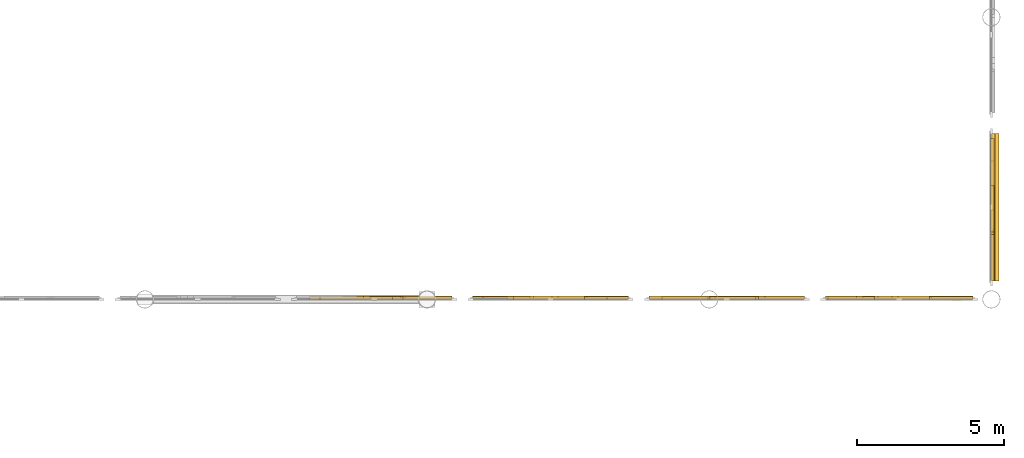
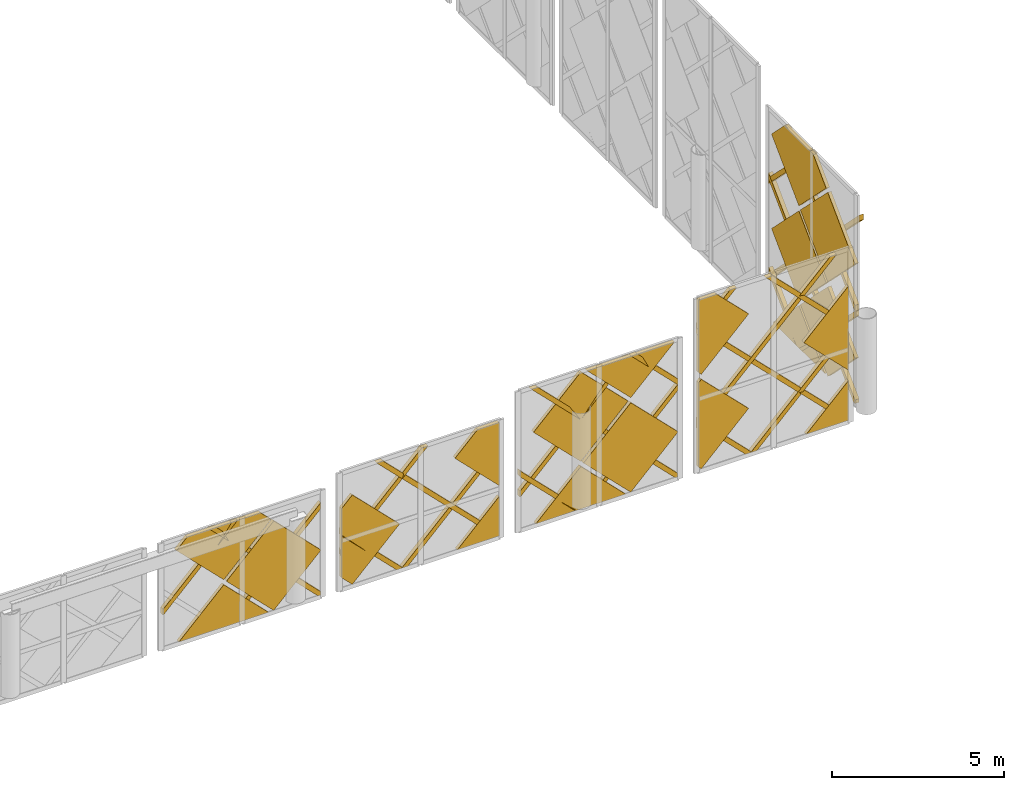
# One storey, part 47 of 53: 43 coverings.
"""IFC4 building model written with IfcOpenShell, lengths in metres."""

from ifc_helpers import new_model, si_unit, direction, frame, origin, place, context, subcontext, project, spatial, polyline, outline, extrude, material, layer, layer_set, type_object, element, save


model = new_model("IFC4")

# Units and contexts
model_context = context("Model", 3, precision=1e-05, world=origin(), true_north=direction((0.0, 1.0)))
body_context = subcontext(model_context, "Body", "Model", "MODEL_VIEW")
ifc_project = project(units=[si_unit("LENGTHUNIT", "METRE"), si_unit("AREAUNIT", "SQUARE_METRE"), si_unit("VOLUMEUNIT", "CUBIC_METRE"), si_unit("PLANEANGLEUNIT", "RADIAN"), si_unit("MASSUNIT", "GRAM", prefix="KILO")], contexts=[model_context])

# Site, building, storey
site_placement = place(None, origin())
site = spatial("IfcSite", under=ifc_project, at=site_placement, CompositionType="ELEMENT")
building_placement = place(site_placement, origin())
building = spatial("IfcBuilding", under=site, at=building_placement, Name="Zevrakil Square Congress Hotel", CompositionType="ELEMENT")
storey_placement = place(building_placement, frame((0.0, 0.0, 14.699951171875)))
storey = spatial("IfcBuildingStorey", under=building, at=storey_placement, Name="L04", CompositionType="ELEMENT", Elevation=14.699951171875)

# Coverings
ifc_material_1 = material(Name="Architectural White Fibre-C GRC", Category="concrete")
ifc_layer_1 = layer(ifc_material_1, 0.06494140625)
ifc_layer_set_1 = layer_set([ifc_layer_1], Name="Architectural White Fibre-C GRC")
covering_type_1 = type_object("IfcCoveringType", Name="COV-DIA-WHITE", PredefinedType="CLADDING", material=ifc_layer_set_1)
covering_1_placement = place(storey_placement, frame((165.694091796875, 68.679931640625, 1.330078125), z_axis=(0.999999790873, 0.0, 0.000646725815), x_axis=(0.000457304257, 0.707106707249, -0.707106707249)))
element("IfcCovering", 1, at=covering_1_placement, inside=storey, type_object=covering_type_1, Name="L04 45-degree white GRC diamond facade cassette 1272", PredefinedType="CLADDING", context=body_context, shape_type="SweptSolid", body=[
    extrude(outline(polyline([(0.0, 0.0), (2.1354765131557993, 0.0), (4.465861884739297e-07, -2.1354765131557527), (0.0, 0.0)])), origin(), (0.0, 0.0, -1.0), 0.1201171875),
])
covering_2_placement = place(storey_placement, frame((165.693115234375, 67.0, 3.010009765625), z_axis=(0.999999856477, 2.18091e-07, 0.000535767289), x_axis=(0.000378661405, 0.70716100192, -0.707052454899)))
element("IfcCovering", 2, at=covering_2_placement, inside=storey, type_object=covering_type_1, Name="L04 45-degree white GRC diamond facade cassette 1273", PredefinedType="CLADDING", context=body_context, shape_type="SweptSolid", body=[
    extrude(outline(polyline([(0.0, 0.0), (2.2485514420054766, 2.220446049250313e-16), (2.2483791200414514, -2.248723969768042), (0.013811095500841475, -2.2485525000985067), (-0.00017114298715226184, -2.234568117059487), (0.0, 0.0)])), origin(), (0.0, 0.0, -1.0), 0.1201171875),
])
covering_3_placement = place(storey_placement, frame((165.69189453125, 68.679931640625, 4.68994140625), z_axis=(0.999999811377, 0.0, 0.000614203339), x_axis=(0.000434274062, 0.707160967493, -0.707052457361)))
element("IfcCovering", 3, at=covering_3_placement, inside=storey, type_object=covering_type_1, Name="L04 45-degree white GRC diamond facade cassette 1274", PredefinedType="CLADDING", context=body_context, shape_type="SweptSolid", body=[
    extrude(outline(polyline([(0.0, 0.0), (2.248551551510707, 2.220446049250313e-16), (2.248379328934688, -2.248723959707921), (-0.00017198403640539262, -2.2483789048388836), (0.0, 0.0)])), origin(), (0.0, 0.0, -1.0), 0.1201171875),
])
covering_4_placement = place(storey_placement, frame((165.69091796875, 67.0, 6.3701171875), z_axis=(0.999999812584, 0.0, 0.000612235231), x_axis=(0.000432915724, 0.707106714509, -0.707106715341)))
element("IfcCovering", 4, at=covering_4_placement, inside=storey, type_object=covering_type_1, Name="L04 45-degree white GRC diamond facade cassette 1275", PredefinedType="CLADDING", context=body_context, shape_type="SweptSolid", body=[
    extrude(outline(polyline([(0.0, 0.0), (2.2487240723329105, -2.220446049250313e-16), (2.2487244964245092, -2.248724072332871), (0.014156369068123897, -2.2487240696714954), (4.240832742752332e-07, -2.2345681273563454), (0.0, 0.0)])), origin(), (0.0, 0.0, -1.0), 0.1201171875),
])
covering_5_placement = place(storey_placement, frame((165.69091796875, 70.27001953125, 6.4599609375), z_axis=(0.999999803119, 0.0, 0.000627505033), x_axis=(0.000443679039, -0.707161000869, -0.707052418141)))
element("IfcCovering", 5, at=covering_5_placement, inside=storey, type_object=covering_type_1, Name="L04 45-degree white GRC diamond facade cassette 1276", PredefinedType="CLADDING", context=body_context, shape_type="SweptSolid", body=[
    extrude(outline(polyline([(0.0, 0.0), (2.248551445388027, 0.0), (2.248723641677915, -2.2483787986918093), (1.1796043338090656, -2.2486335248766522), (8.18831416173893e-05, -1.0692919546146604), (0.0, 0.0)])), origin(), (0.0, 0.0, -1.0), 0.1201171875),
])
covering_6_placement = place(storey_placement, frame((143.989990234375, 64.89404296875, 1.330078125), z_axis=(0.0, 0.999999790873, 0.000646725815), x_axis=(-0.707106707249, 0.000457304257, -0.707106707249)))
element("IfcCovering", 6, at=covering_6_placement, inside=storey, type_object=covering_type_1, Name="L04 45-degree white GRC diamond facade cassette 1413", PredefinedType="CLADDING", context=body_context, shape_type="SweptSolid", body=[
    extrude(outline(polyline([(0.0, 0.0), (2.1354765131557993, 0.0), (4.465861884739297e-07, -2.1354765131557527), (0.0, 0.0)])), origin(), (0.0, 0.0, -1.0), 0.1201171875),
])
covering_7_placement = place(storey_placement, frame((145.669921875, 64.89306640625, 3.010009765625), z_axis=(2.3579e-08, 0.999999812541, 0.0006123053), x_axis=(-0.707106714489, 0.000432981944, -0.707106715321)))
element("IfcCovering", 7, at=covering_7_placement, inside=storey, type_object=covering_type_1, Name="L04 45-degree white GRC diamond facade cassette 1414", PredefinedType="CLADDING", context=body_context, shape_type="SweptSolid", body=[
    extrude(outline(polyline([(0.0, 0.0), (2.248378805382471, -2.220446049250313e-16), (2.248551863014511, -2.248551438825186), (0.01398373565752209, -2.2485514362281265), (4.241484949929486e-07, -2.2345681273566456), (0.0, 0.0)])), origin(), (0.0, 0.0, -1.0), 0.1201171875),
])
covering_8_placement = place(storey_placement, frame((142.39990234375, 64.89306640625, 3.10009765625), z_axis=(0.0, 0.999999863235, 0.000523001369), x_axis=(0.707106744368, 0.000369817834, -0.707106721297)))
element("IfcCovering", 8, at=covering_8_placement, inside=storey, type_object=covering_type_1, Name="L04 45-degree white GRC diamond facade cassette 1415", PredefinedType="CLADDING", context=body_context, shape_type="SweptSolid", body=[
    extrude(outline(polyline([(0.0, 0.0), (2.248723977376149, -2.220446049250313e-16), (2.24872374319806, -2.2487239773761374), (1.7396275212856813, -2.2485513728624835), (0.00017255149728451213, -0.509096221930351), (0.0, 0.0)])), origin(), (0.0, 0.0, -1.0), 0.1201171875),
])
covering_9_placement = place(storey_placement, frame((151.840087890625, 64.89501953125, -0.179931640625), z_axis=(0.0, 0.999999760125, 0.000692640526), x_axis=(1.0, 0.0, 0.0)))
element("IfcCovering", 9, at=covering_9_placement, inside=storey, type_object=covering_type_1, Name="L04 45-degree white GRC diamond facade cassette 1420", PredefinedType="CLADDING", context=body_context, shape_type="SweptSolid", body=[
    extrude(outline(polyline([(0.0, 0.0), (1.409912109375, 0.0), (1.409912109375, -1.4099124475784228), (0.0, 0.0)])), origin(), (0.0, 0.0, -1.0), 0.1201171875),
])
covering_10_placement = place(storey_placement, frame((148.31005859375, 64.89501953125, -0.169921875), z_axis=(-3.3643e-08, 0.999999812817, 0.000611854538), x_axis=(0.707052423992, -0.000432655961, 0.707161001849)))
element("IfcCovering", 10, at=covering_10_placement, inside=storey, type_object=covering_type_1, Name="L04 45-degree white GRC diamond facade cassette 1421", PredefinedType="CLADDING", context=body_context, shape_type="SweptSolid", body=[
    extrude(outline(polyline([(0.0, 0.0), (2.2485514454837037, -2.220446049250313e-16), (2.248724489826509, -2.2483787987223134), (1.7396282801660223, -2.2485905083050195), (-0.00013344140794085968, -0.5090962361932889), (0.0, 0.0)])), origin(), (0.0, 0.0, -1.0), 0.1201171875),
])
covering_11_placement = place(storey_placement, frame((151.760009765625, 64.89306640625, 3.10009765625), z_axis=(4.3735518e-05, 0.999999844073, 0.000556724004), x_axis=(0.707106739215, 0.000362737667, -0.707106730118)))
element("IfcCovering", 11, at=covering_11_placement, inside=storey, type_object=covering_type_1, Name="L04 45-degree white GRC diamond facade cassette 1422", PredefinedType="CLADDING", context=body_context, shape_type="SweptSolid", body=[
    extrude(outline(polyline([(0.0, 0.0), (2.107164524304703, 0.0), (0.5161739387450113, -1.5909903977577224), (-1.702036734885226e-07, -1.0748162285200251), (0.0, 0.0)])), origin(), (0.0, 0.0, -1.0), 0.1201171875),
])
covering_12_placement = place(storey_placement, frame((155.989990234375, 64.89404296875, 1.330078125), z_axis=(0.0, 0.999999790873, 0.000646725815), x_axis=(-0.707106707249, 0.000457304257, -0.707106707249)))
element("IfcCovering", 12, at=covering_12_placement, inside=storey, type_object=covering_type_1, Name="L04 45-degree white GRC diamond facade cassette 1427", PredefinedType="CLADDING", context=body_context, shape_type="SweptSolid", body=[
    extrude(outline(polyline([(0.0, 0.0), (2.1354765131557993, 0.0), (4.465861884739297e-07, -2.1354765131557527), (0.0, 0.0)])), origin(), (0.0, 0.0, -1.0), 0.1201171875),
])
covering_13_placement = place(storey_placement, frame((157.669921875, 64.89306640625, 3.010009765625), z_axis=(2.3579e-08, 0.999999812541, 0.0006123053), x_axis=(-0.707106714489, 0.000432981944, -0.707106715321)))
element("IfcCovering", 13, at=covering_13_placement, inside=storey, type_object=covering_type_1, Name="L04 45-degree white GRC diamond facade cassette 1428", PredefinedType="CLADDING", context=body_context, shape_type="SweptSolid", body=[
    extrude(outline(polyline([(0.0, 0.0), (2.248378805382471, -2.220446049250313e-16), (2.248551863014511, -2.248551438825186), (0.01398373565752209, -2.2485514362281265), (4.241484949929486e-07, -2.2345681273566456), (0.0, 0.0)])), origin(), (0.0, 0.0, -1.0), 0.1201171875),
])
covering_14_placement = place(storey_placement, frame((154.39990234375, 64.89306640625, 3.10009765625), z_axis=(0.0, 0.999999852422, 0.000543282832), x_axis=(0.707106744888, 0.000384158994, -0.707106713131)))
element("IfcCovering", 14, at=covering_14_placement, inside=storey, type_object=covering_type_1, Name="L04 45-degree white GRC diamond facade cassette 1429", PredefinedType="CLADDING", context=body_context, shape_type="SweptSolid", body=[
    extrude(outline(polyline([(0.0, 0.0), (2.248723975722311, -2.220446049250313e-16), (2.2487237448518975, -2.2487239757223), (0.04246751111625979, -2.248724074824798), (-3.2561286400500933e-07, -2.206256233735616), (0.0, 0.0)])), origin(), (0.0, 0.0, -1.0), 0.1201171875),
])
covering_15_placement = place(storey_placement, frame((157.669921875, 64.892822265625, 3.18994140625), z_axis=(0.0, 0.999999875912, 0.000498173303), x_axis=(0.707048019704, -0.000352290991, 0.707165450035)))
element("IfcCovering", 15, at=covering_15_placement, inside=storey, type_object=covering_type_1, Name="L04 45-degree white GRC diamond facade cassette 1430", PredefinedType="CLADDING", context=body_context, shape_type="SweptSolid", body=[
    extrude(outline(polyline([(0.0, 0.0), (2.0790252743221878, -2.220446049250313e-16), (0.0003455249860142562, -2.0790252456098104), (0.0, 0.0)])), origin(), (0.0, 0.0, -1.0), 0.1201171875),
])
covering_16_placement = place(storey_placement, frame((163.570068359375, 64.89501953125, -0.179931640625), z_axis=(0.0, 0.999999760125, 0.000692640526), x_axis=(1.0, 0.0, 0.0)))
element("IfcCovering", 16, at=covering_16_placement, inside=storey, type_object=covering_type_1, Name="L04 45-degree white GRC diamond facade cassette 1436", PredefinedType="CLADDING", context=body_context, shape_type="SweptSolid", body=[
    extrude(outline(polyline([(0.0, 0.0), (1.409912109375, 0.0), (1.409912109375, -1.4099124475784228), (0.0, 0.0)])), origin(), (0.0, 0.0, -1.0), 0.1201171875),
])
covering_17_placement = place(storey_placement, frame((160.0400390625, 64.89501953125, -0.169921875), z_axis=(4.2481e-08, 0.999999810286, 0.000615977294), x_axis=(0.707052423992, -0.000435625238, 0.707161000026)))
element("IfcCovering", 17, at=covering_17_placement, inside=storey, type_object=covering_type_1, Name="L04 45-degree white GRC diamond facade cassette 1437", PredefinedType="CLADDING", context=body_context, shape_type="SweptSolid", body=[
    extrude(outline(polyline([(0.0, 0.0), (2.248551445484817, 0.0), (2.2487244898302956, -2.2483787987238553), (2.1214936322954827, -2.248561224467988), (9.781385940751952e-06, -0.12740350426852678), (0.0, 0.0)])), origin(), (0.0, 0.0, -1.0), 0.1201171875),
])
covering_18_placement = place(storey_placement, frame((163.489990234375, 64.89306640625, 3.10009765625), z_axis=(8.1926907e-05, 0.9999998322, 0.000573488352), x_axis=(0.707106738472, 0.000347586468, -0.707106738472)))
element("IfcCovering", 18, at=covering_18_placement, inside=storey, type_object=covering_type_1, Name="L04 45-degree white GRC diamond facade cassette 1438", PredefinedType="CLADDING", context=body_context, shape_type="SweptSolid", body=[
    extrude(outline(polyline([(0.0, 0.0), (2.107164524546562, -2.220446049250313e-16), (-3.394399104017509e-07, -2.1071646235498394), (0.0, 0.0)])), origin(), (0.0, 0.0, -1.0), 0.1201171875),
])
covering_19_placement = place(storey_placement, frame((160.0400390625, 64.892822265625, 3.18994140625), z_axis=(-4.5849018e-05, 0.999999840474, 0.000562982506), x_axis=(0.707052455562, -0.000365701674, 0.707161008078)))
element("IfcCovering", 19, at=covering_19_placement, inside=storey, type_object=covering_type_1, Name="L04 45-degree white GRC diamond facade cassette 1439", PredefinedType="CLADDING", context=body_context, shape_type="SweptSolid", body=[
    extrude(outline(polyline([(0.0, 0.0), (2.2485513509124555, 0.0), (2.2488414841859816, -1.5272886552898461), (1.8245409627571845, -1.9516543746817172), (9.7792671272523e-06, -0.12740350454578792), (0.0, 0.0)])), origin(), (0.0, 0.0, -1.0), 0.1201171875),
])
ifc_material_2 = material(Name="Anodised Champagne Aluminium", Category="aluminium")
ifc_layer_2 = layer(ifc_material_2, 0.0849609375)
ifc_layer_set_2 = layer_set([ifc_layer_2], Name="Anodised Champagne Aluminium")
covering_type_2 = type_object("IfcCoveringType", Name="COV-DIAGRID-45", PredefinedType="MOLDING", material=ifc_layer_set_2)
covering_20_placement = place(storey_placement, frame((165.718017578125, 65.419921875, 3.093994140625), z_axis=(0.999999907608, 0.000303960579, 0.000303960579), x_axis=(-0.000303960565, -9.2392e-08, 0.999999953804)))
element("IfcCovering", 20, at=covering_20_placement, inside=storey, type_object=covering_type_2, Name="L04 45-degree aluminium diagrid rib 1277", PredefinedType="MOLDING", context=body_context, shape_type="SweptSolid", body=[
    extrude(outline(polyline([(0.0, 0.0), (0.2121581933241359, 0.0), (4.1220705029232425, -3.9099126708439047), (4.122070483321514, -4.12207086416804), (0.0, 0.0)])), origin(), (0.0, 0.0, -1.0), 0.14501953125),
])
covering_21_placement = place(storey_placement, frame((165.719970703125, 65.506103515625, -0.179931640625), z_axis=(0.999999753919, -8.7267435e-05, 0.000696093713), x_axis=(-8.7267414e-05, -0.999999996192, -6.0746e-08)))
element("IfcCovering", 21, at=covering_21_placement, inside=storey, type_object=covering_type_2, Name="L04 45-degree aluminium diagrid rib 1278", PredefinedType="MOLDING", context=body_context, shape_type="SweptSolid", body=[
    extrude(outline(polyline([(0.0, 0.0), (0.08618164029683732, 0.0), (0.0861816326442256, -0.1259765319792475), (-4.943847673661377, -5.156006819494465), (-4.94384768207907, -4.943848497824969), (0.0, 0.0)])), origin(), (0.0, 0.0, -1.0), 0.14501953125),
])
covering_22_placement = place(storey_placement, frame((165.719970703125, 68.8662109375, -0.179931640625), z_axis=(0.999999916523, 0.000288757226, 0.000289089512), x_axis=(0.000288757214, -0.99999995831, 8.3477e-08)))
element("IfcCovering", 22, at=covering_22_placement, inside=storey, type_object=covering_type_2, Name="L04 45-degree aluminium diagrid rib 1279", PredefinedType="MOLDING", context=body_context, shape_type="SweptSolid", body=[
    extrude(outline(polyline([(0.0, 0.0), (0.21240233489486798, -2.81112161297318e-24), (-1.5837403004017168, -1.796142785384697), (-1.5837403181119811, -1.5839845911250197), (0.0, 0.0)])), origin(), (0.0, 0.0, -1.0), 0.14501953125),
])
covering_23_placement = place(storey_placement, frame((165.718017578125, 65.419921875, 2.89404296875), z_axis=(0.999999905696, -0.00030708991, 0.00030708991), x_axis=(-0.000307089896, 9.4304e-08, 0.999999952848)))
element("IfcCovering", 23, at=covering_23_placement, inside=storey, type_object=covering_type_2, Name="L04 45-degree aluminium diagrid rib 1280", PredefinedType="MOLDING", context=body_context, shape_type="SweptSolid", body=[
    extrude(outline(polyline([(0.0, 0.0), (0.2121581931212936, 0.0), (-3.0739747543193885, -3.2861332573369064), (-3.073974774326802, -3.0739750642156136), (0.0, 0.0)])), origin(), (0.0, 0.0, -1.0), 0.14501953125),
])
covering_24_placement = place(storey_placement, frame((165.716064453125, 65.419921875, 6.25390625), z_axis=(-0.999999830382, 0.000582439352, 0.0), x_axis=(0.0, 0.0, 1.0)))
element("IfcCovering", 24, at=covering_24_placement, inside=storey, type_object=covering_type_2, Name="L04 45-degree aluminium diagrid rib 1281", PredefinedType="MOLDING", context=body_context, shape_type="SweptSolid", body=[
    extrude(outline(polyline([(0.0, 0.0), (0.212158203125, 0.0), (-4.81787109375, 5.0300301500577165), (-5.030029296875, 5.0300301500577165), (0.0, 0.0)])), origin(), (0.0, 0.0, -1.0), 0.14501953125),
])
covering_25_placement = place(storey_placement, frame((165.715576171875, 67.81787109375, 7.216064453125), z_axis=(0.999999915927, -0.0002899531, 0.0002899531), x_axis=(0.000289953088, 0.999999957964, 8.4073e-08)))
element("IfcCovering", 25, at=covering_25_placement, inside=storey, type_object=covering_type_2, Name="L04 45-degree aluminium diagrid rib 1282", PredefinedType="MOLDING", context=body_context, shape_type="SweptSolid", body=[
    extrude(outline(polyline([(0.0, 0.0), (0.2121581942066327, 0.0), (2.6320801887681777, -2.4199221980111894), (2.632080170931443, -2.6320803922178215), (0.0, 0.0)])), origin(), (0.0, 0.0, -1.0), 0.14501953125),
])
covering_26_placement = place(storey_placement, frame((147.163818359375, 64.919921875, -0.179931640625), z_axis=(-0.000181083774, 0.99999989165, 0.000428845682), x_axis=(0.999999983604, 0.000181083757, 7.7657e-08)))
element("IfcCovering", 26, at=covering_26_placement, inside=storey, type_object=covering_type_2, Name="L04 45-degree aluminium diagrid rib 1416", PredefinedType="MOLDING", context=body_context, shape_type="SweptSolid", body=[
    extrude(outline(polyline([(0.0, 0.0), (0.08618163921199454, 1.1406045165281983e-24), (0.08618164899495591, -0.1259765509159113), (-3.4277344340260023, -3.639893185709056), (-3.639892633672527, -3.639893185709056), (0.0, 0.0)])), origin(), (0.0, 0.0, -1.0), 0.14501953125),
])
covering_27_placement = place(storey_placement, frame((147.25, 64.918212890625, 2.89404296875), z_axis=(-0.000287477056, 0.99999958606, 0.000863270454), x_axis=(-8.2643e-08, -0.000863270513, 0.999999627382)))
element("IfcCovering", 27, at=covering_27_placement, inside=storey, type_object=covering_type_2, Name="L04 45-degree aluminium diagrid rib 1418", PredefinedType="MOLDING", context=body_context, shape_type="SweptSolid", body=[
    extrude(outline(polyline([(0.0, 0.0), (0.21215833483042407, 1.3234889800848443e-23), (-3.0739746676964605, -3.286133202330571), (-3.073974685229852, -3.0739750079722734), (0.0, 0.0)])), origin(), (0.0, 0.0, -1.0), 0.14501953125),
])
covering_28_placement = place(storey_placement, frame((144.4560546875, 64.917724609375, 3.4599609375), z_axis=(0.000305355897, 0.999999906865, 0.000305004913), x_axis=(-0.999999953379, 0.000305355883, 9.3135e-08)))
element("IfcCovering", 28, at=covering_28_placement, inside=storey, type_object=covering_type_2, Name="L04 45-degree aluminium diagrid rib 1419", PredefinedType="MOLDING", context=body_context, shape_type="SweptSolid", body=[
    extrude(outline(polyline([(0.0, 0.0), (0.21215819323394844, 0.0), (2.5061036324623407, -2.2937015119703363), (2.506103612680237, -2.506103845840653), (0.0, 0.0)])), origin(), (0.0, 0.0, -1.0), 0.14501953125),
])
covering_29_placement = place(storey_placement, frame((153.163818359375, 64.919921875, -0.179931640625), z_axis=(-0.000180987837, 0.999999891614, 0.000428969235), x_axis=(0.999999983622, 0.000180987821, 7.7638e-08)))
element("IfcCovering", 29, at=covering_29_placement, inside=storey, type_object=covering_type_2, Name="L04 45-degree aluminium diagrid rib 1423", PredefinedType="MOLDING", context=body_context, shape_type="SweptSolid", body=[
    extrude(outline(polyline([(0.0, 0.0), (0.08618163921349134, 0.0), (0.08618164899408683, -0.12597655090923543), (-3.8276367842631966, -4.0400397380750634), (-4.040039124534407, -4.0400397380750634), (0.0, 0.0)])), origin(), (0.0, 0.0, -1.0), 0.14501953125),
])
covering_30_placement = place(storey_placement, frame((149.803955078125, 64.919921875, -0.179931640625), z_axis=(-0.0003115794, 0.99999990303, 0.000311221263), x_axis=(0.999999951459, 0.000311579385, 9.697e-08)))
element("IfcCovering", 30, at=covering_30_placement, inside=storey, type_object=covering_type_2, Name="L04 45-degree aluminium diagrid rib 1424", PredefinedType="MOLDING", context=body_context, shape_type="SweptSolid", body=[
    extrude(outline(polyline([(0.0, 0.0), (0.21215819282665782, 0.0), (-1.854003996244953, -2.0661623892209127), (-1.8540040168416378, -1.853760055757419), (0.0, 0.0)])), origin(), (0.0, 0.0, -1.0), 0.14501953125),
])
covering_31_placement = place(storey_placement, frame((153.25, 64.918212890625, 2.89404296875), z_axis=(-0.000287477056, 0.99999958606, 0.000863270454), x_axis=(-8.2643e-08, -0.000863270513, 0.999999627382)))
element("IfcCovering", 31, at=covering_31_placement, inside=storey, type_object=covering_type_2, Name="L04 45-degree aluminium diagrid rib 1425", PredefinedType="MOLDING", context=body_context, shape_type="SweptSolid", body=[
    extrude(outline(polyline([(0.0, 0.0), (0.21215833483042407, 1.3234889800848443e-23), (-3.0739746676964605, -3.286133202330571), (-3.073974685229852, -3.0739750079722734), (0.0, 0.0)])), origin(), (0.0, 0.0, -1.0), 0.14501953125),
])
covering_32_placement = place(storey_placement, frame((150.856201171875, 64.91748046875, 3.860107421875), z_axis=(0.000305170431, 0.999999906871, 0.000305170431), x_axis=(-0.999999953436, 0.000305170417, 9.3129e-08)))
element("IfcCovering", 32, at=covering_32_placement, inside=storey, type_object=covering_type_2, Name="L04 45-degree aluminium diagrid rib 1426", PredefinedType="MOLDING", context=body_context, shape_type="SweptSolid", body=[
    extrude(outline(polyline([(0.0, 0.0), (0.21240233385959167, 0.0), (2.906250135328076, -2.6938480523438493), (2.906250115547259, -2.90625038620344), (0.0, 0.0)])), origin(), (0.0, 0.0, -1.0), 0.14501953125),
])
covering_33_placement = place(storey_placement, frame((159.25, 64.91796875, 3.093994140625), z_axis=(-0.000334420162, 0.999999888163, 0.000334420162), x_axis=(1.11837e-07, -0.000334420143, 0.999999944082)))
element("IfcCovering", 33, at=covering_33_placement, inside=storey, type_object=covering_type_2, Name="L04 45-degree aluminium diagrid rib 1431", PredefinedType="MOLDING", context=body_context, shape_type="SweptSolid", body=[
    extrude(outline(polyline([(0.0, 0.0), (0.2121581912614477, 5.6157808774107894e-24), (1.5661621969523216, -1.3540041571184345), (1.5661621732252162, -1.5661623483798808), (0.0, 0.0)])), origin(), (0.0, 0.0, -1.0), 0.14501953125),
])
covering_34_placement = place(storey_placement, frame((159.163818359375, 64.919921875, -0.179931640625), z_axis=(-0.000181110451, 0.999999891618, 0.000428908858), x_axis=(0.9999999836, 0.000181110434, 7.768e-08)))
element("IfcCovering", 34, at=covering_34_placement, inside=storey, type_object=covering_type_2, Name="L04 45-degree aluminium diagrid rib 1432", PredefinedType="MOLDING", context=body_context, shape_type="SweptSolid", body=[
    extrude(outline(polyline([(0.0, 0.0), (0.0861816392115782, 0.0), (0.0861816489974222, -0.12597655091249796), (-4.627685625598192, -4.840088701995825), (-4.839843825243692, -4.840088701995825), (0.0, 0.0)])), origin(), (0.0, 0.0, -1.0), 0.14501953125),
])
covering_35_placement = place(storey_placement, frame((155.803955078125, 64.919921875, -0.179931640625), z_axis=(-0.0003115794, 0.99999990303, 0.000311221263), x_axis=(0.999999951459, 0.000311579385, 9.697e-08)))
element("IfcCovering", 35, at=covering_35_placement, inside=storey, type_object=covering_type_2, Name="L04 45-degree aluminium diagrid rib 1433", PredefinedType="MOLDING", context=body_context, shape_type="SweptSolid", body=[
    extrude(outline(polyline([(0.0, 0.0), (0.21215819282665782, 0.0), (-1.854003996244953, -2.0661623892209127), (-1.8540040168416378, -1.853760055757419), (0.0, 0.0)])), origin(), (0.0, 0.0, -1.0), 0.14501953125),
])
covering_36_placement = place(storey_placement, frame((159.25, 64.918212890625, 2.89404296875), z_axis=(-0.000287477056, 0.99999958606, 0.000863270454), x_axis=(-8.2643e-08, -0.000863270513, 0.999999627382)))
element("IfcCovering", 36, at=covering_36_placement, inside=storey, type_object=covering_type_2, Name="L04 45-degree aluminium diagrid rib 1434", PredefinedType="MOLDING", context=body_context, shape_type="SweptSolid", body=[
    extrude(outline(polyline([(0.0, 0.0), (0.21215833483042407, 1.3234889800848443e-23), (-3.0739746676964605, -3.286133202330571), (-3.073974685229852, -3.0739750079722734), (0.0, 0.0)])), origin(), (0.0, 0.0, -1.0), 0.14501953125),
])
covering_37_placement = place(storey_placement, frame((157.656005859375, 64.9169921875, 4.66015625), z_axis=(0.000305348139, 0.99999990687, 0.000304997164), x_axis=(-0.999999953381, 0.000305348125, 9.313e-08)))
element("IfcCovering", 37, at=covering_37_placement, inside=storey, type_object=covering_type_2, Name="L04 45-degree aluminium diagrid rib 1435", PredefinedType="MOLDING", context=body_context, shape_type="SweptSolid", body=[
    extrude(outline(polyline([(0.0, 0.0), (0.212158193234451, -2.8078904387053947e-24), (3.7060548602716223, -3.4938969920279583), (3.7060548404905242, -3.706299325898777), (0.0, 0.0)])), origin(), (0.0, 0.0, -1.0), 0.14501953125),
])
covering_38_placement = place(storey_placement, frame((164.97998046875, 64.91796875, 3.093994140625), z_axis=(-0.000321233504, 0.999999896809, 0.000321233504), x_axis=(1.03191e-07, -0.000321233487, 0.999999948405)))
element("IfcCovering", 38, at=covering_38_placement, inside=storey, type_object=covering_type_2, Name="L04 45-degree aluminium diagrid rib 1440", PredefinedType="MOLDING", context=body_context, shape_type="SweptSolid", body=[
    extrude(outline(polyline([(0.0, 0.0), (0.21215819217859497, 2.8078904387053947e-24), (2.7661134239689584, -2.553955495335506), (2.766113402076148, -2.7661136875141), (0.0, 0.0)])), origin(), (0.0, 0.0, -1.0), 0.14501953125),
])
covering_39_placement = place(storey_placement, frame((164.893798828125, 64.919921875, -0.179931640625), z_axis=(-0.000465762673, 0.999999884486, 0.000118710631), x_axis=(0.999999891533, 0.000465762669, 5.5291e-08)))
element("IfcCovering", 39, at=covering_39_placement, inside=storey, type_object=covering_type_2, Name="L04 45-degree aluminium diagrid rib 1441", PredefinedType="MOLDING", context=body_context, shape_type="SweptSolid", body=[
    extrude(outline(polyline([(0.0, 0.0), (0.0861816312770981, -5.703022582640992e-25), (0.08618163824246652, -0.12597656161235546), (-4.9438481994619226, -5.156006170830311), (-4.943848211192359, -4.943847969200201), (0.0, 0.0)])), origin(), (0.0, 0.0, -1.0), 0.14501953125),
])
covering_40_placement = place(storey_placement, frame((161.533935546875, 64.919921875, -0.179931640625), z_axis=(-0.000288912941, 0.999999916529, 0.000288912941), x_axis=(0.999999958265, 0.000288912929, 8.3471e-08)))
element("IfcCovering", 40, at=covering_40_placement, inside=storey, type_object=covering_type_2, Name="L04 45-degree aluminium diagrid rib 1442", PredefinedType="MOLDING", context=body_context, shape_type="SweptSolid", body=[
    extrude(outline(polyline([(0.0, 0.0), (0.21215819427050428, 0.0), (-1.5839844411081363, -1.7961427853039198), (-1.5839844588171281, -1.5839845910334163), (0.0, 0.0)])), origin(), (0.0, 0.0, -1.0), 0.14501953125),
])
covering_41_placement = place(storey_placement, frame((164.97998046875, 64.918212890625, 2.89404296875), z_axis=(-0.000287477056, 0.99999958606, 0.000863270454), x_axis=(-8.2643e-08, -0.000863270513, 0.999999627382)))
element("IfcCovering", 41, at=covering_41_placement, inside=storey, type_object=covering_type_2, Name="L04 45-degree aluminium diagrid rib 1443", PredefinedType="MOLDING", context=body_context, shape_type="SweptSolid", body=[
    extrude(outline(polyline([(0.0, 0.0), (0.21215833483042407, 1.3234889800848443e-23), (-3.0739746676964605, -3.286133202330571), (-3.073974685229852, -3.0739750079722734), (0.0, 0.0)])), origin(), (0.0, 0.0, -1.0), 0.14501953125),
])
covering_42_placement = place(storey_placement, frame((164.586181640625, 64.916259765625, 5.860107421875), z_axis=(-0.000265343616, 0.999999573097, 0.000885098536), x_axis=(-0.999999964796, -0.000265343512, -2.34855e-07)))
element("IfcCovering", 42, at=covering_42_placement, inside=storey, type_object=covering_type_2, Name="L04 45-degree aluminium diagrid rib 1444", PredefinedType="MOLDING", context=body_context, shape_type="SweptSolid", body=[
    extrude(outline(polyline([(0.0, 0.0), (0.21240233627266908, 5.62224322594636e-24), (4.636230631962091, -4.424072909690409), (4.6362306170074294, -4.636231245801598), (0.0, 0.0)])), origin(), (0.0, 0.0, -1.0), 0.14501953125),
])
covering_43_placement = place(storey_placement, frame((161.22607421875, 64.916259765625, 5.860107421875), z_axis=(0.000312989015, 0.999999902038, 0.000312989015), x_axis=(-0.999999951019, 0.000312988999, 9.7962e-08)))
element("IfcCovering", 43, at=covering_43_placement, inside=storey, type_object=covering_type_2, Name="L04 45-degree aluminium diagrid rib 1445", PredefinedType="MOLDING", context=body_context, shape_type="SweptSolid", body=[
    extrude(outline(polyline([(0.0, 0.0), (0.21215819273326572, 2.8078904387053947e-24), (1.2761231093808665, -1.0639650208758784), (1.2761230885973973, -1.276123213609143), (0.0, 0.0)])), origin(), (0.0, 0.0, -1.0), 0.14501953125),
])

save(model, "model.ifc")
